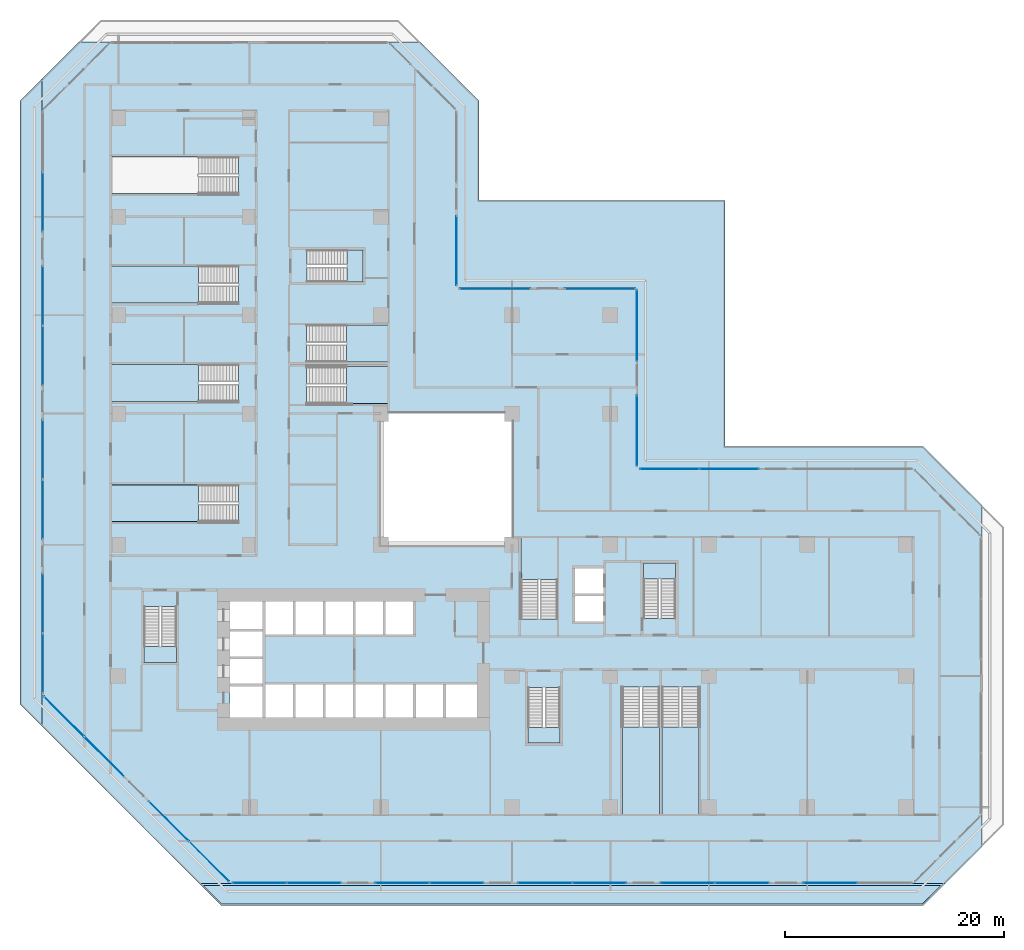
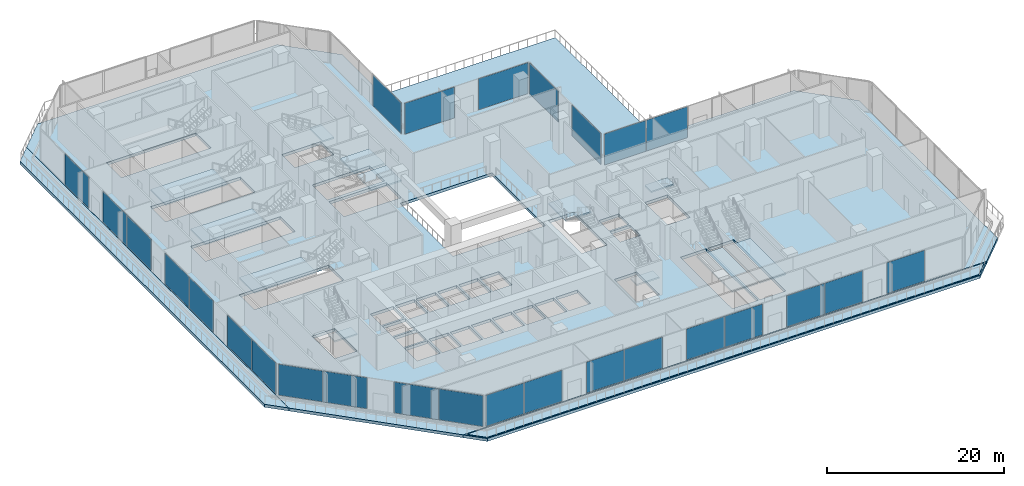
# One storey, part 9 of 25: 27 plates, 16 slabs, 29 elements without a shape of their own.
"""IFC4 building model written with IfcOpenShell, lengths in metres."""

import ifcopenshell
import ifcopenshell.guid

model = None  # the IFC model being written
_history = None  # IfcOwnerHistory: only IFC2X3 demands one
_inside = {}  # id of a spatial element -> (the spatial element, [elements in it])
_under = {}  # id of a project, library or spatial element -> (it, [spatial elements below it])
_declared = {}  # id of a project -> (the project, [libraries it declares])
_typed = {}  # id of a type object -> (the type object, [elements of that type])
_made_of = {}  # id of a material, layer set ... -> (it, [elements and type objects made of it])


def new_model(schema):
    """Start an empty IFC model of exactly this schema.

    Asked for "IFC4X3", IfcOpenShell would pick the latest addendum, in which some entities
    have other attributes; the version numbers below select the first issue.
    IFC2X3 requires an IfcOwnerHistory on every rooted entity: one is made here for all.
    """
    global model, _history
    if schema == "IFC4X3":
        model = ifcopenshell.file(schema_version=(4, 3, 0, 0))
    else:
        model = ifcopenshell.file(schema=schema)
    _inside.clear()
    _under.clear()
    _declared.clear()
    _typed.clear()
    _made_of.clear()
    _history = None
    if model.schema == "IFC2X3":
        org = make("IfcOrganization", Name="unknown")
        user = make(
            "IfcPersonAndOrganization",
            ThePerson=make("IfcPerson", FamilyName="unknown"),
            TheOrganization=org,
        )
        app = make(
            "IfcApplication",
            ApplicationDeveloper=org,
            Version="unknown",
            ApplicationFullName="unknown",
            ApplicationIdentifier="unknown",
        )
        _history = make(
            "IfcOwnerHistory",
            OwningUser=user,
            OwningApplication=app,
            ChangeAction="ADDED",
            CreationDate=0,
        )
    return model


def make(cls, **values):
    """One entity of the class cls with the attributes given. An attribute that is None is left unset."""
    return model.create_entity(
        cls, **{name: value for name, value in values.items() if value is not None}
    )


def rooted(cls, **values):
    """An entity with a GlobalId (a new one), such as an element, a storey or a relation."""
    return make(cls, GlobalId=ifcopenshell.guid.new(), OwnerHistory=_history, **values)


def si_unit(unit_type, name, prefix=None):
    """IfcSIUnit, for example si_unit("LENGTHUNIT", "METRE", prefix="MILLI")."""
    return make("IfcSIUnit", UnitType=unit_type, Prefix=prefix, Name=name)


def assignment(units):
    """IfcUnitAssignment: the units of a project."""
    return None if units is None else make("IfcUnitAssignment", Units=units)


def point(xyz):
    """IfcCartesianPoint."""
    return None if xyz is None else make("IfcCartesianPoint", Coordinates=xyz)


def direction(xyz):
    """IfcDirection."""
    return None if xyz is None else make("IfcDirection", DirectionRatios=xyz)


def frame(location, z_axis=None, x_axis=None):
    """IfcAxis2Placement3D, a coordinate frame: its origin and axes. An axis left out is left unset."""
    return make(
        "IfcAxis2Placement3D",
        Location=point(location),
        Axis=direction(z_axis),
        RefDirection=direction(x_axis),
    )


def frame_2d(location, x_axis=None):
    """IfcAxis2Placement2D, a coordinate frame in the plane: its origin and x axis."""
    return make(
        "IfcAxis2Placement2D", Location=point(location), RefDirection=direction(x_axis)
    )


def origin():
    """The frame at (0, 0, 0) with its axes left unset."""
    return frame((0.0, 0.0, 0.0))


def origin_2d():
    """The frame at (0, 0) in the plane with its x axis left unset."""
    return frame_2d((0.0, 0.0))


def place(relative_to, where):
    """IfcLocalPlacement: puts the frame where relative to a parent placement (None: the world)."""
    return make(
        "IfcLocalPlacement", PlacementRelTo=relative_to, RelativePlacement=where
    )


def context(
    kind, dimensions, precision=None, world=None, true_north=None, identifier=None
):
    """IfcGeometricRepresentationContext, for example the 3D "Model" context."""
    return make(
        "IfcGeometricRepresentationContext",
        ContextIdentifier=identifier,
        ContextType=kind,
        CoordinateSpaceDimension=dimensions,
        Precision=precision,
        WorldCoordinateSystem=world,
        TrueNorth=true_north,
    )


def subcontext(parent, identifier, kind, view, scale=None):
    """IfcGeometricRepresentationSubContext, for example "Body" below "Model"."""
    return make(
        "IfcGeometricRepresentationSubContext",
        ContextIdentifier=identifier,
        ContextType=kind,
        ParentContext=parent,
        TargetScale=scale,
        TargetView=view,
    )


def project(units=None, contexts=None):
    """IfcProject with its units and contexts."""
    return rooted(
        "IfcProject",
        Name="project",
        RepresentationContexts=contexts,
        UnitsInContext=assignment(units),
    )


def spatial(cls, under=None, at=None, **own):
    """A site, building, storey or space (cls), placed at a placement, below another one or the project."""
    s = rooted(cls, ObjectPlacement=at, **own)
    if under is not None:
        _under.setdefault(under.id(), (under, []))[1].append(s)
    return s


def polyline(points):
    """IfcPolyline through the points."""
    return make("IfcPolyline", Points=[point(p) for p in points])


def profile(cls, at=None, kind="AREA", **sizes):
    """A parametric profile (cls). Its sizes go by their IFC names, for example OverallWidth=200.0."""
    return make(cls, ProfileType=kind, Position=at, **sizes)


def rectangle(**sizes):
    """IfcRectangleProfileDef."""
    return profile("IfcRectangleProfileDef", **sizes)


def outline(outer, holes=None, kind="AREA"):
    """IfcArbitraryClosedProfileDef: a profile drawn as a closed curve; with holes, ...WithVoids."""
    if holes is None:
        return make("IfcArbitraryClosedProfileDef", ProfileType=kind, OuterCurve=outer)
    return make(
        "IfcArbitraryProfileDefWithVoids",
        ProfileType=kind,
        OuterCurve=outer,
        InnerCurves=holes,
    )


def extrude(swept, where, along, depth):
    """IfcExtrudedAreaSolid: the profile swept, set in the frame where, extruded along a direction by depth."""
    return make(
        "IfcExtrudedAreaSolid",
        SweptArea=swept,
        Position=where,
        ExtrudedDirection=direction(along),
        Depth=depth,
    )


def shape(context_of_items, identifier, shape_type, items):
    """IfcShapeRepresentation: the items that make up one representation, for example the "Body"."""
    return make(
        "IfcShapeRepresentation",
        ContextOfItems=context_of_items,
        RepresentationIdentifier=identifier,
        RepresentationType=shape_type,
        Items=items,
    )


def material(Name=None, Category=None):
    """IfcMaterial."""
    return make("IfcMaterial", Name=Name, Category=Category)


def layer(
    of_material, thickness, ventilated=None, Name=None, Category=None, Priority=None
):
    """IfcMaterialLayer: one layer of a wall or slab, of a material (None: an air gap)."""
    return make(
        "IfcMaterialLayer",
        Material=of_material,
        LayerThickness=thickness,
        IsVentilated=ventilated,
        Name=Name,
        Category=Category,
        Priority=Priority,
    )


def layer_set(layers, Name=None):
    """IfcMaterialLayerSet."""
    return make("IfcMaterialLayerSet", MaterialLayers=layers, LayerSetName=Name)


def made_of(thing, what):
    """Note that an element or type object is made of a material, layer set ...; save() writes the relation."""
    if what is not None:
        _made_of.setdefault(what.id(), (what, []))[1].append(thing)
    return thing


def type_object(cls, material=None, **own):
    """A type object (cls), such as IfcWallType, which elements share."""
    return made_of(rooted(cls, **own), material)


def element(
    cls,
    number,
    at=None,
    inside=None,
    cuts=None,
    type_object=None,
    material=None,
    context=None,
    identifier="Body",
    shape_type=None,
    held_by="IfcProductDefinitionShape",
    body=None,
    shapes=None,
    **own,
):
    """One element of the class cls, such as IfcWall. Its Tag is "e" and its number.

    at: its placement. inside: the storey or other place that contains it. cuts: it is an
    opening in that element (IfcRelVoidsElement). A single representation is given by context,
    identifier, shape_type and body (its items); several are given by shapes. held_by: the class
    of the entity that holds the representations. save() writes the other relations.
    """
    e = rooted(cls, Tag="e%d" % number, ObjectPlacement=at, **own)
    if body is not None:
        shapes = [shape(context, identifier, shape_type, body)]
    if shapes is not None:
        e.Representation = make(held_by, Representations=shapes)
    if inside is not None:
        _inside.setdefault(inside.id(), (inside, []))[1].append(e)
    if cuts is not None:
        rooted(
            "IfcRelVoidsElement", RelatingBuildingElement=cuts, RelatedOpeningElement=e
        )
    if type_object is not None:
        _typed.setdefault(type_object.id(), (type_object, []))[1].append(e)
    return made_of(e, material)


def aggregate(whole, parts):
    """IfcRelAggregates: a whole, such as a stair, and the parts it consists of."""
    return rooted("IfcRelAggregates", RelatingObject=whole, RelatedObjects=parts)


def save(model, path):
    """Write the relations noted so far, then the file.

    IfcRelAggregates (storeys below a building ...), IfcRelContainedInSpatialStructure (elements
    in a storey), IfcRelDefinesByType, IfcRelAssociatesMaterial and IfcRelDeclares: one each for
    every whole, place, type object, material and project.
    """
    for whole, parts in _under.values():
        aggregate(whole, parts)
    for where, things in _inside.values():
        rooted(
            "IfcRelContainedInSpatialStructure",
            RelatedElements=things,
            RelatingStructure=where,
        )
    for kind, things in _typed.values():
        rooted("IfcRelDefinesByType", RelatedObjects=things, RelatingType=kind)
    for what, things in _made_of.values():
        rooted("IfcRelAssociatesMaterial", RelatedObjects=things, RelatingMaterial=what)
    for by, libraries in _declared.values():
        rooted("IfcRelDeclares", RelatingContext=by, RelatedDefinitions=libraries)
    model.write(path)


model = new_model("IFC4")

# Units and contexts
model_context = context("Model", 3, precision=1e-05, world=origin(), true_north=direction((0.0, 1.0)))
body_context = subcontext(model_context, "Body", "Model", "MODEL_VIEW")
ifc_project = project(units=[si_unit("LENGTHUNIT", "METRE"), si_unit("AREAUNIT", "SQUARE_METRE"), si_unit("VOLUMEUNIT", "CUBIC_METRE"), si_unit("PLANEANGLEUNIT", "RADIAN"), si_unit("MASSUNIT", "GRAM", prefix="KILO")], contexts=[model_context])

# Site, building, storey
site_placement = place(None, origin())
site = spatial("IfcSite", under=ifc_project, at=site_placement, CompositionType="ELEMENT")
building_placement = place(site_placement, origin())
building = spatial("IfcBuilding", under=site, at=building_placement, Name="Chenar Terraces", CompositionType="ELEMENT")
storey_placement = place(building_placement, frame((0.0, 0.0, 21.60009765625)))
storey = spatial("IfcBuildingStorey", under=building, at=storey_placement, Name="L04", CompositionType="ELEMENT", Elevation=21.60009765625)

# Stair, slab
ifc_material_1 = material(Name="Reinforced concrete C40/50", Category="concrete")
stair_type = type_object("IfcStairType", Name="Core stair 1400 half-turn", PredefinedType="HALF_TURN_STAIR", material=ifc_material_1)
placement_1 = place(storey_placement, origin())
stair_1 = element("IfcStair", 1, at=placement_1, inside=storey, type_object=stair_type, Name="L04 Stair 1", PredefinedType="HALF_TURN_STAIR")
ifc_material_2 = material(Name="Reinforced concrete C40/50", Category="concrete")
ifc_layer_1 = layer(ifc_material_2, 0.199951171875)
ifc_layer_set_1 = layer_set([ifc_layer_1], Name="Reinforced concrete C40/50")
slab_type_1 = type_object("IfcSlabType", Name="Core stair landing 200", PredefinedType="LANDING", material=ifc_layer_set_1)
placement_2 = place(storey_placement, frame((0.0, 0.0, 2.199951171875)))
slab_1 = element("IfcSlab", 2, at=placement_2, type_object=slab_type_1, Name="ST1 landing 1", PredefinedType="LANDING", context=body_context, shape_type="SweptSolid", body=[
    extrude(outline(polyline([(2.35009765625, 14.7099609375), (2.35009765625, 13.25), (5.300048828125, 13.25), (5.300048828125, 14.7099609375), (2.35009765625, 14.7099609375)])), origin(), (0.0, 0.0, 1.0), 0.199951171875),
])
aggregate(stair_1, [slab_1])

stair_2 = element("IfcStair", 3, at=placement_1, inside=storey, type_object=stair_type, Name="L04 Stair 2", PredefinedType="HALF_TURN_STAIR")
slab_2 = element("IfcSlab", 4, at=placement_2, type_object=slab_type_1, Name="ST2 landing 1", PredefinedType="LANDING", context=body_context, shape_type="SweptSolid", body=[
    extrude(outline(polyline([(37.449951171875, 7.31005859375), (37.449951171875, 5.85009765625), (40.39990234375, 5.85009765625), (40.39990234375, 7.31005859375), (37.449951171875, 7.31005859375)])), origin(), (0.0, 0.0, 1.0), 0.199951171875),
])
aggregate(stair_2, [slab_2])

stair_3 = element("IfcStair", 5, at=placement_1, inside=storey, type_object=stair_type, Name="L04 Stair 3", PredefinedType="HALF_TURN_STAIR")
slab_3 = element("IfcSlab", 6, at=placement_2, type_object=slab_type_1, Name="ST3 landing 1", PredefinedType="LANDING", context=body_context, shape_type="SweptSolid", body=[
    extrude(outline(polyline([(50.97509765625, 20.889892578125), (50.97509765625, 22.35009765625), (48.02490234375, 22.35009765625), (48.02490234375, 20.889892578125), (50.97509765625, 20.889892578125)])), origin(), (0.0, 0.0, 1.0), 0.199951171875),
])
aggregate(stair_3, [slab_3])

stair_4 = element("IfcStair", 7, at=placement_1, inside=storey, type_object=stair_type, Name="L04 Stair 4", PredefinedType="HALF_TURN_STAIR")
slab_4 = element("IfcSlab", 8, at=placement_2, type_object=slab_type_1, Name="ST4 landing 1", PredefinedType="LANDING", context=body_context, shape_type="SweptSolid", body=[
    extrude(outline(polyline([(20.889892578125, 48.02490234375), (22.35009765625, 48.02490234375), (22.35009765625, 50.97509765625), (20.889892578125, 50.97509765625), (20.889892578125, 48.02490234375)])), origin(), (0.0, 0.0, 1.0), 0.199951171875),
])
aggregate(stair_4, [slab_4])

stair_5 = element("IfcStair", 9, at=placement_1, inside=storey, type_object=stair_type, Name="L04 Exit stair PS1", PredefinedType="HALF_TURN_STAIR")
slab_5 = element("IfcSlab", 10, at=placement_2, type_object=slab_type_1, Name="PS1 landing 1", PredefinedType="LANDING", context=body_context, shape_type="SweptSolid", body=[
    extrude(outline(polyline([(40.175048828125, 20.840087890625), (40.175048828125, 24.699951171875), (36.824951171875, 24.699951171875), (36.824951171875, 20.840087890625), (40.175048828125, 20.840087890625)])), origin(), (0.0, 0.0, 1.0), 0.199951171875),
])
aggregate(stair_5, [slab_5])

stair_6 = element("IfcStair", 11, at=placement_1, inside=storey, type_object=stair_type, Name="L04 Exit stair PS2", PredefinedType="HALF_TURN_STAIR")
slab_6 = element("IfcSlab", 12, at=placement_2, type_object=slab_type_1, Name="PS2 landing 1", PredefinedType="LANDING", context=body_context, shape_type="SweptSolid", body=[
    extrude(outline(polyline([(49.7099609375, 7.344970703125), (49.7099609375, -0.699951171875), (53.090087890625, -0.699951171875), (53.090087890625, 7.344970703125), (49.7099609375, 7.344970703125)])), origin(), (0.0, 0.0, 1.0), 0.199951171875),
])
aggregate(stair_6, [slab_6])

stair_7 = element("IfcStair", 13, at=placement_1, inside=storey, type_object=stair_type, Name="L04 Exit stair PS4", PredefinedType="HALF_TURN_STAIR")
slab_7 = element("IfcSlab", 14, at=placement_2, type_object=slab_type_1, Name="PS4 landing 1", PredefinedType="LANDING", context=body_context, shape_type="SweptSolid", body=[
    extrude(outline(polyline([(7.344970703125, 49.489990234375), (-0.699951171875, 49.489990234375), (-0.699951171875, 46.110107421875), (7.344970703125, 46.110107421875), (7.344970703125, 49.489990234375)])), origin(), (0.0, 0.0, 1.0), 0.199951171875),
])
aggregate(stair_7, [slab_7])

stair_8 = element("IfcStair", 15, at=placement_1, inside=storey, type_object=stair_type, Name="L04 Exit stair PS5", PredefinedType="HALF_TURN_STAIR")
slab_8 = element("IfcSlab", 16, at=placement_2, type_object=slab_type_1, Name="PS5 landing 1", PredefinedType="LANDING", context=body_context, shape_type="SweptSolid", body=[
    extrude(outline(polyline([(7.344970703125, 29.489990234375), (-0.699951171875, 29.489990234375), (-0.699951171875, 26.110107421875), (7.344970703125, 26.110107421875), (7.344970703125, 29.489990234375)])), origin(), (0.0, 0.0, 1.0), 0.199951171875),
])
aggregate(stair_8, [slab_8])

stair_9 = element("IfcStair", 17, at=placement_1, inside=storey, type_object=stair_type, Name="L04 Exit stair PS6", PredefinedType="HALF_TURN_STAIR")
slab_9 = element("IfcSlab", 18, at=placement_2, type_object=slab_type_1, Name="PS6 landing 1", PredefinedType="LANDING", context=body_context, shape_type="SweptSolid", body=[
    extrude(outline(polyline([(46.110107421875, 7.344970703125), (46.110107421875, -0.699951171875), (49.489990234375, -0.699951171875), (49.489990234375, 7.344970703125), (46.110107421875, 7.344970703125)])), origin(), (0.0, 0.0, 1.0), 0.199951171875),
])
aggregate(stair_9, [slab_9])

stair_10 = element("IfcStair", 19, at=placement_1, inside=storey, type_object=stair_type, Name="L04 Exit stair PS7", PredefinedType="HALF_TURN_STAIR")
slab_10 = element("IfcSlab", 20, at=placement_2, type_object=slab_type_1, Name="PS7 landing 1", PredefinedType="LANDING", context=body_context, shape_type="SweptSolid", body=[
    extrude(outline(polyline([(20.85498046875, 36.909912109375), (24.699951171875, 36.909912109375), (24.699951171875, 40.2900390625), (20.85498046875, 40.2900390625), (20.85498046875, 36.909912109375)])), origin(), (0.0, 0.0, 1.0), 0.199951171875),
])
aggregate(stair_10, [slab_10])

stair_11 = element("IfcStair", 21, at=placement_1, inside=storey, type_object=stair_type, Name="L04 Exit stair PS8", PredefinedType="HALF_TURN_STAIR")
slab_11 = element("IfcSlab", 22, at=placement_2, type_object=slab_type_1, Name="PS8 landing 1", PredefinedType="LANDING", context=body_context, shape_type="SweptSolid", body=[
    extrude(outline(polyline([(20.85498046875, 40.7099609375), (24.699951171875, 40.7099609375), (24.699951171875, 44.090087890625), (20.85498046875, 44.090087890625), (20.85498046875, 40.7099609375)])), origin(), (0.0, 0.0, 1.0), 0.199951171875),
])
aggregate(stair_11, [slab_11])

stair_12 = element("IfcStair", 23, at=placement_1, inside=storey, type_object=stair_type, Name="L04 Exit stair PS9", PredefinedType="HALF_TURN_STAIR")
slab_12 = element("IfcSlab", 24, at=placement_2, type_object=slab_type_1, Name="PS9 landing 1", PredefinedType="LANDING", context=body_context, shape_type="SweptSolid", body=[
    extrude(outline(polyline([(7.344970703125, 40.489990234375), (-0.699951171875, 40.489990234375), (-0.699951171875, 37.110107421875), (7.344970703125, 37.110107421875), (7.344970703125, 40.489990234375)])), origin(), (0.0, 0.0, 1.0), 0.199951171875),
])
aggregate(stair_12, [slab_12])

# Slab
ifc_material_3 = material(Name="Concrete C40/50", Category="concrete")
ifc_layer_2 = layer(ifc_material_3, 0.39990234375)
ifc_layer_set_2 = layer_set([ifc_layer_2], Name="Concrete C40/50")
slab_type_2 = type_object("IfcSlabType", Name="Floor slab 400 Concrete C40/50", PredefinedType="FLOOR", material=ifc_layer_set_2)
placement_3 = place(storey_placement, frame((0.0, 0.0, -0.400146484375)))
element("IfcSlab", 25, at=placement_3, inside=storey, type_object=slab_type_2, Name="Floor slab L04", PredefinedType="FLOOR", context=body_context, shape_type="SweptSolid", body=[
    extrude(outline(polyline([(-6.998046875, 10.2197265625), (-6.998046875, 63.7802734375), (-7.0, 63.7783203125), (-7.0, 66.606689453125), (-3.606689453125, 70.0), (-0.7783203125, 70.0), (-0.7802734375, 69.998046875), (24.7802734375, 69.998046875), (24.7783203125, 70.0), (27.606689453125, 70.0), (33.0, 64.606689453125), (33.0, 55.5), (55.5, 55.5), (55.5, 33.0), (73.606689453125, 33.0), (79.0, 27.606689453125), (79.0, 24.7783203125), (78.998046875, 24.7802734375), (78.998046875, -0.7802734375), (79.0, -0.7783203125), (79.0, -3.606689453125), (75.606689453125, -7.0), (72.7783203125, -7.0), (72.7802734375, -6.998046875), (10.2197265625, -6.998046875), (10.2216796875, -7.0), (7.393310546875, -7.0), (-7.0, 7.393310546875), (-7.0, 10.2216796875), (-6.998046875, 10.2197265625)]), holes=[polyline([(13.199951171875, 8.199951171875), (13.199951171875, 11.050048828125), (10.199951171875, 11.050048828125), (10.199951171875, 8.199951171875), (13.199951171875, 8.199951171875)]), polyline([(15.949951171875, 8.199951171875), (15.949951171875, 11.199951171875), (13.449951171875, 11.199951171875), (13.449951171875, 8.199951171875), (15.949951171875, 8.199951171875)]), polyline([(18.699951171875, 8.199951171875), (18.699951171875, 11.199951171875), (16.199951171875, 11.199951171875), (16.199951171875, 8.199951171875), (18.699951171875, 8.199951171875)]), polyline([(21.449951171875, 8.199951171875), (21.449951171875, 11.199951171875), (18.949951171875, 11.199951171875), (18.949951171875, 8.199951171875), (21.449951171875, 8.199951171875)]), polyline([(13.199951171875, 11.300048828125), (13.199951171875, 13.550048828125), (10.199951171875, 13.550048828125), (10.199951171875, 11.300048828125), (13.199951171875, 11.300048828125)]), polyline([(13.199951171875, 13.800048828125), (13.199951171875, 16.050048828125), (10.199951171875, 16.050048828125), (10.199951171875, 13.800048828125), (13.199951171875, 13.800048828125)]), polyline([(2.35009765625, 18.35009765625), (2.35009765625, 13.25), (5.300048828125, 13.25), (5.300048828125, 18.35009765625), (2.35009765625, 18.35009765625)]), polyline([(15.949951171875, 15.800048828125), (15.949951171875, 18.800048828125), (13.449951171875, 18.800048828125), (13.449951171875, 15.800048828125), (15.949951171875, 15.800048828125)]), polyline([(18.699951171875, 15.800048828125), (18.699951171875, 18.800048828125), (16.199951171875, 18.800048828125), (16.199951171875, 15.800048828125), (18.699951171875, 15.800048828125)]), polyline([(21.449951171875, 15.800048828125), (21.449951171875, 18.800048828125), (18.949951171875, 18.800048828125), (18.949951171875, 15.800048828125), (21.449951171875, 15.800048828125)]), polyline([(13.199951171875, 16.300048828125), (13.199951171875, 18.800048828125), (10.199951171875, 18.800048828125), (10.199951171875, 16.300048828125), (13.199951171875, 16.300048828125)]), polyline([(10.985107421875, 29.489990234375), (-0.699951171875, 29.489990234375), (-0.699951171875, 26.110107421875), (10.985107421875, 26.110107421875), (10.985107421875, 29.489990234375)]), polyline([(10.985107421875, 40.489990234375), (-0.699951171875, 40.489990234375), (-0.699951171875, 37.110107421875), (10.985107421875, 37.110107421875), (10.985107421875, 40.489990234375)]), polyline([(10.985107421875, 49.489990234375), (-0.699951171875, 49.489990234375), (-0.699951171875, 46.110107421875), (10.985107421875, 46.110107421875), (10.985107421875, 49.489990234375)]), polyline([(17.25, 48.02490234375), (22.35009765625, 48.02490234375), (22.35009765625, 50.97509765625), (17.25, 50.97509765625), (17.25, 48.02490234375)]), polyline([(10.985107421875, 59.489990234375), (-0.699951171875, 59.489990234375), (-0.699951171875, 56.110107421875), (10.985107421875, 56.110107421875), (10.985107421875, 59.489990234375)]), polyline([(46.110107421875, 10.985107421875), (46.110107421875, -0.699951171875), (49.489990234375, -0.699951171875), (49.489990234375, 10.985107421875), (46.110107421875, 10.985107421875)]), polyline([(49.7099609375, 10.985107421875), (49.7099609375, -0.699951171875), (53.090087890625, -0.699951171875), (53.090087890625, 10.985107421875), (49.7099609375, 10.985107421875)]), polyline([(37.449951171875, 10.949951171875), (37.449951171875, 5.85009765625), (40.39990234375, 5.85009765625), (40.39990234375, 10.949951171875), (37.449951171875, 10.949951171875)]), polyline([(24.199951171875, 8.199951171875), (24.199951171875, 11.199951171875), (21.699951171875, 11.199951171875), (21.699951171875, 8.199951171875), (24.199951171875, 8.199951171875)]), polyline([(26.949951171875, 8.199951171875), (26.949951171875, 11.199951171875), (24.449951171875, 11.199951171875), (24.449951171875, 8.199951171875), (26.949951171875, 8.199951171875)]), polyline([(29.699951171875, 8.199951171875), (29.699951171875, 11.199951171875), (27.199951171875, 11.199951171875), (27.199951171875, 8.199951171875), (29.699951171875, 8.199951171875)]), polyline([(32.800048828125, 8.199951171875), (32.800048828125, 11.199951171875), (29.949951171875, 11.199951171875), (29.949951171875, 8.199951171875), (32.800048828125, 8.199951171875)]), polyline([(24.199951171875, 15.800048828125), (24.199951171875, 18.800048828125), (21.699951171875, 18.800048828125), (21.699951171875, 15.800048828125), (24.199951171875, 15.800048828125)]), polyline([(26.949951171875, 15.800048828125), (26.949951171875, 18.800048828125), (24.449951171875, 18.800048828125), (24.449951171875, 15.800048828125), (26.949951171875, 15.800048828125)]), polyline([(44.35009765625, 17.0), (44.35009765625, 19.300048828125), (41.75, 19.300048828125), (41.75, 17.0), (44.35009765625, 17.0)]), polyline([(50.97509765625, 17.25), (50.97509765625, 22.35009765625), (48.02490234375, 22.35009765625), (48.02490234375, 17.25), (50.97509765625, 17.25)]), polyline([(44.35009765625, 19.550048828125), (44.35009765625, 21.85009765625), (41.75, 21.85009765625), (41.75, 19.550048828125), (44.35009765625, 19.550048828125)]), polyline([(40.175048828125, 17.199951171875), (40.175048828125, 24.699951171875), (36.824951171875, 24.699951171875), (36.824951171875, 17.199951171875), (40.175048828125, 17.199951171875)]), polyline([(24.0, 24.0), (36.0, 24.0), (36.0, 36.0), (24.0, 36.0), (24.0, 24.0)]), polyline([(17.215087890625, 36.909912109375), (24.699951171875, 36.909912109375), (24.699951171875, 40.2900390625), (17.215087890625, 40.2900390625), (17.215087890625, 36.909912109375)]), polyline([(17.215087890625, 40.7099609375), (24.699951171875, 40.7099609375), (24.699951171875, 44.090087890625), (17.215087890625, 44.090087890625), (17.215087890625, 40.7099609375)])]), origin(), (0.0, 0.0, 1.0), 0.400146484375),
])

# Curtain wall, plate
ifc_material_4 = material(Name="Aluminium framed glazing", Category="aluminium")
ifc_layer_3 = layer(ifc_material_4, 0.14990234375)
ifc_layer_set_3 = layer_set([ifc_layer_3], Name="Aluminium framed glazing")
curtain_wall_type = type_object("IfcCurtainWallType", Name="School curtain wall", PredefinedType="NOTDEFINED", material=ifc_layer_set_3)
curtain_wall_1 = element("IfcCurtainWall", 26, at=placement_1, inside=storey, type_object=curtain_wall_type, Name="School curtain wall", PredefinedType="NOTDEFINED")
ifc_material_5 = material(Name="Low emissivity laminated glass, solar control coating", Category="glass")
ifc_layer_4 = layer(ifc_material_5, 0.031982421875)
ifc_layer_set_4 = layer_set([ifc_layer_4], Name="Low emissivity laminated glass, solar control coating")
plate_type = type_object("IfcPlateType", Name="School glazing panel 32", PredefinedType="CURTAIN_PANEL", material=ifc_layer_set_4)
plate_1_placement = place(storey_placement, frame((30.925048828125, 50.88818359375, 0.06982421875), z_axis=(0.0, 0.0, 1.0), x_axis=(0.0, 1.0, 0.0)))
plate_1 = element("IfcPlate", 27, at=plate_1_placement, type_object=plate_type, Name="CW2-01c0 panel 1.1", PredefinedType="CURTAIN_PANEL", context=body_context, shape_type="SweptSolid", body=[
    extrude(rectangle(XDim=6.336669921875, YDim=0.031982421875, at=origin_2d()), origin(), (0.0, 0.0, 1.0), 4.260009765625),
])
aggregate(curtain_wall_1, [plate_1])

curtain_wall_2 = element("IfcCurtainWall", 28, at=placement_1, inside=storey, type_object=curtain_wall_type, Name="School curtain wall", PredefinedType="NOTDEFINED")
plate_2_placement = place(storey_placement, frame((-6.925048828125, 55.35693359375, 0.06982421875), z_axis=(0.0, 0.0, 1.0), x_axis=(0.0, -1.0, 0.0)))
plate_2 = element("IfcPlate", 29, at=plate_2_placement, type_object=plate_type, Name="CW2-05c0 panel 2.1", PredefinedType="CURTAIN_PANEL", context=body_context, shape_type="SweptSolid", body=[
    extrude(rectangle(XDim=5.4208984375, YDim=0.031982421875, at=origin_2d()), origin(), (0.0, 0.0, 1.0), 4.260009765625),
])
aggregate(curtain_wall_2, [plate_2])

# Curtain wall, plates
curtain_wall_3 = element("IfcCurtainWall", 30, at=placement_1, inside=storey, type_object=curtain_wall_type, Name="School curtain wall", PredefinedType="NOTDEFINED")
plate_3_placement = place(storey_placement, frame((-6.925048828125, 46.7744140625, 0.06982421875), z_axis=(0.0, 0.0, 1.0), x_axis=(0.0, -1.0, 0.0)))
plate_3 = element("IfcPlate", 31, at=plate_3_placement, type_object=plate_type, Name="CW2-05c1 panel 1.1", PredefinedType="CURTAIN_PANEL", context=body_context, shape_type="SweptSolid", body=[
    extrude(rectangle(XDim=5.41455078125, YDim=0.031982421875, at=origin_2d()), origin(), (0.0, 0.0, 1.0), 4.260009765625),
])
plate_4_placement = place(storey_placement, frame((-6.925048828125, 41.289794921875, 0.06982421875), z_axis=(0.0, 0.0, 1.0), x_axis=(0.0, -1.0, 0.0)))
plate_4 = element("IfcPlate", 32, at=plate_4_placement, type_object=plate_type, Name="CW2-05c1 panel 2.1", PredefinedType="CURTAIN_PANEL", context=body_context, shape_type="SweptSolid", body=[
    extrude(rectangle(XDim=5.41455078125, YDim=0.031982421875, at=origin_2d()), origin(), (0.0, 0.0, 1.0), 4.260009765625),
])
aggregate(curtain_wall_3, [plate_3, plate_4])

curtain_wall_4 = element("IfcCurtainWall", 33, at=placement_1, inside=storey, type_object=curtain_wall_type, Name="School curtain wall", PredefinedType="NOTDEFINED")
plate_5_placement = place(storey_placement, frame((-6.925048828125, 32.710205078125, 0.06982421875), z_axis=(0.0, 0.0, 1.0), x_axis=(0.0, -1.0, 0.0)))
plate_5 = element("IfcPlate", 34, at=plate_5_placement, type_object=plate_type, Name="CW2-05c2 panel 1.1", PredefinedType="CURTAIN_PANEL", context=body_context, shape_type="SweptSolid", body=[
    extrude(rectangle(XDim=5.41455078125, YDim=0.031982421875, at=origin_2d()), origin(), (0.0, 0.0, 1.0), 4.260009765625),
])
plate_6_placement = place(storey_placement, frame((-6.925048828125, 27.2255859375, 0.06982421875), z_axis=(0.0, 0.0, 1.0), x_axis=(0.0, -1.0, 0.0)))
plate_6 = element("IfcPlate", 35, at=plate_6_placement, type_object=plate_type, Name="CW2-05c2 panel 2.1", PredefinedType="CURTAIN_PANEL", context=body_context, shape_type="SweptSolid", body=[
    extrude(rectangle(XDim=5.41455078125, YDim=0.031982421875, at=origin_2d()), origin(), (0.0, 0.0, 1.0), 4.260009765625),
])
aggregate(curtain_wall_4, [plate_5, plate_6])

curtain_wall_5 = element("IfcCurtainWall", 36, at=placement_1, inside=storey, type_object=curtain_wall_type, Name="School curtain wall", PredefinedType="NOTDEFINED")
plate_7_placement = place(storey_placement, frame((-6.925048828125, 18.64306640625, 0.06982421875), z_axis=(0.0, 0.0, 1.0), x_axis=(0.0, -1.0, 0.0)))
plate_7 = element("IfcPlate", 37, at=plate_7_placement, type_object=plate_type, Name="CW2-05c3 panel 1.1", PredefinedType="CURTAIN_PANEL", context=body_context, shape_type="SweptSolid", body=[
    extrude(rectangle(XDim=5.4208984375, YDim=0.031982421875, at=origin_2d()), origin(), (0.0, 0.0, 1.0), 4.260009765625),
])
plate_8_placement = place(storey_placement, frame((-6.925048828125, 13.152099609375, 0.06982421875), z_axis=(0.0, 0.0, 1.0), x_axis=(0.0, -1.0, 0.0)))
plate_8 = element("IfcPlate", 38, at=plate_8_placement, type_object=plate_type, Name="CW2-05c3 panel 2.1", PredefinedType="CURTAIN_PANEL", context=body_context, shape_type="SweptSolid", body=[
    extrude(rectangle(XDim=5.4208984375, YDim=0.031982421875, at=origin_2d()), origin(), (0.0, 0.0, 1.0), 4.260009765625),
])
aggregate(curtain_wall_5, [plate_7, plate_8])

curtain_wall_6 = element("IfcCurtainWall", 39, at=placement_1, inside=storey, type_object=curtain_wall_type, Name="School curtain wall", PredefinedType="NOTDEFINED")
plate_9_placement = place(storey_placement, frame((-4.9697265625, 8.297607421875, 0.06982421875), z_axis=(0.0, 0.0, 1.0), x_axis=(0.707106781187, -0.707106781187, 0.0)))
plate_9 = element("IfcPlate", 40, at=plate_9_placement, type_object=plate_type, Name="CW2-06c0 panel 1.1", PredefinedType="CURTAIN_PANEL", context=body_context, shape_type="SweptSolid", body=[
    extrude(rectangle(XDim=5.152587890625, YDim=0.031982421875, at=origin_2d()), origin(), (0.0, 0.0, 1.0), 4.260009765625),
])
plate_10_placement = place(storey_placement, frame((-1.27685546875, 4.604736328125, 0.06982421875), z_axis=(0.0, 0.0, 1.0), x_axis=(0.707106781187, -0.707106781187, 0.0)))
plate_10 = element("IfcPlate", 41, at=plate_10_placement, type_object=plate_type, Name="CW2-06c0 panel 2.1", PredefinedType="CURTAIN_PANEL", context=body_context, shape_type="SweptSolid", body=[
    extrude(rectangle(XDim=5.152587890625, YDim=0.031982421875, at=origin_2d()), origin(), (0.0, 0.0, 1.0), 4.260009765625),
])
aggregate(curtain_wall_6, [plate_9, plate_10])

curtain_wall_7 = element("IfcCurtainWall", 42, at=placement_1, inside=storey, type_object=curtain_wall_type, Name="School curtain wall", PredefinedType="NOTDEFINED")
plate_11_placement = place(storey_placement, frame((4.604736328125, -1.27685546875, 0.06982421875), z_axis=(0.0, 0.0, 1.0), x_axis=(0.707106781187, -0.707106781187, 0.0)))
plate_11 = element("IfcPlate", 43, at=plate_11_placement, type_object=plate_type, Name="CW2-06c1 panel 1.1", PredefinedType="CURTAIN_PANEL", context=body_context, shape_type="SweptSolid", body=[
    extrude(rectangle(XDim=5.152587890625, YDim=0.031982421875, at=origin_2d()), origin(), (0.0, 0.0, 1.0), 4.260009765625),
])
plate_12_placement = place(storey_placement, frame((8.297607421875, -4.9697265625, 0.06982421875), z_axis=(0.0, 0.0, 1.0), x_axis=(0.707106781187, -0.707106781187, 0.0)))
plate_12 = element("IfcPlate", 44, at=plate_12_placement, type_object=plate_type, Name="CW2-06c1 panel 2.1", PredefinedType="CURTAIN_PANEL", context=body_context, shape_type="SweptSolid", body=[
    extrude(rectangle(XDim=5.152587890625, YDim=0.031982421875, at=origin_2d()), origin(), (0.0, 0.0, 1.0), 4.260009765625),
])
aggregate(curtain_wall_7, [plate_11, plate_12])

curtain_wall_8 = element("IfcCurtainWall", 45, at=placement_1, inside=storey, type_object=curtain_wall_type, Name="School curtain wall", PredefinedType="NOTDEFINED")
plate_13_placement = place(storey_placement, frame((12.89892578125, -6.925048828125, 0.06982421875), z_axis=(0.0, 0.0, 1.0), x_axis=(1.0, 0.0, 0.0)))
plate_13 = element("IfcPlate", 46, at=plate_13_placement, type_object=plate_type, Name="CW2-07c0 panel 1.1", PredefinedType="CURTAIN_PANEL", context=body_context, shape_type="SweptSolid", body=[
    extrude(rectangle(XDim=4.914306640625, YDim=0.031982421875, at=origin_2d()), origin(), (0.0, 0.0, 1.0), 4.260009765625),
])
plate_14_placement = place(storey_placement, frame((17.88330078125, -6.925048828125, 0.06982421875), z_axis=(0.0, 0.0, 1.0), x_axis=(1.0, 0.0, 0.0)))
plate_14 = element("IfcPlate", 47, at=plate_14_placement, type_object=plate_type, Name="CW2-07c0 panel 2.1", PredefinedType="CURTAIN_PANEL", context=body_context, shape_type="SweptSolid", body=[
    extrude(rectangle(XDim=4.914306640625, YDim=0.031982421875, at=origin_2d()), origin(), (0.0, 0.0, 1.0), 4.260009765625),
])
aggregate(curtain_wall_8, [plate_13, plate_14])

curtain_wall_9 = element("IfcCurtainWall", 48, at=placement_1, inside=storey, type_object=curtain_wall_type, Name="School curtain wall", PredefinedType="NOTDEFINED")
plate_15_placement = place(storey_placement, frame((25.959716796875, -6.925048828125, 0.06982421875), z_axis=(0.0, 0.0, 1.0), x_axis=(1.0, 0.0, 0.0)))
plate_15 = element("IfcPlate", 49, at=plate_15_placement, type_object=plate_type, Name="CW2-07c1 panel 1.1", PredefinedType="CURTAIN_PANEL", context=body_context, shape_type="SweptSolid", body=[
    extrude(rectangle(XDim=4.908203125, YDim=0.031982421875, at=origin_2d()), origin(), (0.0, 0.0, 1.0), 4.260009765625),
])
plate_16_placement = place(storey_placement, frame((30.937744140625, -6.925048828125, 0.06982421875), z_axis=(0.0, 0.0, 1.0), x_axis=(1.0, 0.0, 0.0)))
plate_16 = element("IfcPlate", 50, at=plate_16_placement, type_object=plate_type, Name="CW2-07c1 panel 2.1", PredefinedType="CURTAIN_PANEL", context=body_context, shape_type="SweptSolid", body=[
    extrude(rectangle(XDim=4.908203125, YDim=0.031982421875, at=origin_2d()), origin(), (0.0, 0.0, 1.0), 4.260009765625),
])
aggregate(curtain_wall_9, [plate_15, plate_16])

curtain_wall_10 = element("IfcCurtainWall", 51, at=placement_1, inside=storey, type_object=curtain_wall_type, Name="School curtain wall", PredefinedType="NOTDEFINED")
plate_17_placement = place(storey_placement, frame((39.010986328125, -6.925048828125, 0.06982421875), z_axis=(0.0, 0.0, 1.0), x_axis=(1.0, 0.0, 0.0)))
plate_17 = element("IfcPlate", 52, at=plate_17_placement, type_object=plate_type, Name="CW2-07c2 panel 1.1", PredefinedType="CURTAIN_PANEL", context=body_context, shape_type="SweptSolid", body=[
    extrude(rectangle(XDim=4.908203125, YDim=0.031982421875, at=origin_2d()), origin(), (0.0, 0.0, 1.0), 4.260009765625),
])
plate_18_placement = place(storey_placement, frame((43.989013671875, -6.925048828125, 0.06982421875), z_axis=(0.0, 0.0, 1.0), x_axis=(1.0, 0.0, 0.0)))
plate_18 = element("IfcPlate", 53, at=plate_18_placement, type_object=plate_type, Name="CW2-07c2 panel 2.1", PredefinedType="CURTAIN_PANEL", context=body_context, shape_type="SweptSolid", body=[
    extrude(rectangle(XDim=4.908203125, YDim=0.031982421875, at=origin_2d()), origin(), (0.0, 0.0, 1.0), 4.260009765625),
])
aggregate(curtain_wall_10, [plate_17, plate_18])

curtain_wall_11 = element("IfcCurtainWall", 54, at=placement_1, inside=storey, type_object=curtain_wall_type, Name="School curtain wall", PredefinedType="NOTDEFINED")
plate_19_placement = place(storey_placement, frame((52.062255859375, -6.925048828125, 0.06982421875), z_axis=(0.0, 0.0, 1.0), x_axis=(1.0, 0.0, 0.0)))
plate_19 = element("IfcPlate", 55, at=plate_19_placement, type_object=plate_type, Name="CW2-07c3 panel 1.1", PredefinedType="CURTAIN_PANEL", context=body_context, shape_type="SweptSolid", body=[
    extrude(rectangle(XDim=4.908203125, YDim=0.031982421875, at=origin_2d()), origin(), (0.0, 0.0, 1.0), 4.260009765625),
])
plate_20_placement = place(storey_placement, frame((57.040283203125, -6.925048828125, 0.06982421875), z_axis=(0.0, 0.0, 1.0), x_axis=(1.0, 0.0, 0.0)))
plate_20 = element("IfcPlate", 56, at=plate_20_placement, type_object=plate_type, Name="CW2-07c3 panel 2.1", PredefinedType="CURTAIN_PANEL", context=body_context, shape_type="SweptSolid", body=[
    extrude(rectangle(XDim=4.908203125, YDim=0.031982421875, at=origin_2d()), origin(), (0.0, 0.0, 1.0), 4.260009765625),
])
aggregate(curtain_wall_11, [plate_19, plate_20])

# Curtain wall, plate
curtain_wall_12 = element("IfcCurtainWall", 57, at=placement_1, inside=storey, type_object=curtain_wall_type, Name="School curtain wall", PredefinedType="NOTDEFINED")
plate_21_placement = place(storey_placement, frame((65.11669921875, -6.925048828125, 0.06982421875), z_axis=(0.0, 0.0, 1.0), x_axis=(1.0, 0.0, 0.0)))
plate_21 = element("IfcPlate", 58, at=plate_21_placement, type_object=plate_type, Name="CW2-07c4 panel 1.1", PredefinedType="CURTAIN_PANEL", context=body_context, shape_type="SweptSolid", body=[
    extrude(rectangle(XDim=4.914306640625, YDim=0.031982421875, at=origin_2d()), origin(), (0.0, 0.0, 1.0), 4.260009765625),
])
aggregate(curtain_wall_12, [plate_21])

# Curtain wall, plates
curtain_wall_13 = element("IfcCurtainWall", 59, at=placement_1, inside=storey, type_object=curtain_wall_type, Name="School curtain wall", PredefinedType="NOTDEFINED")
plate_22_placement = place(storey_placement, frame((55.864990234375, 30.925048828125, 0.06982421875), z_axis=(0.0, 0.0, 1.0), x_axis=(-1.0, 0.0, 0.0)))
plate_22 = element("IfcPlate", 60, at=plate_22_placement, type_object=plate_type, Name="CW2-11c1 panel 1.1", PredefinedType="CURTAIN_PANEL", context=body_context, shape_type="SweptSolid", body=[
    extrude(rectangle(XDim=5.38330078125, YDim=0.031982421875, at=origin_2d()), origin(), (0.0, 0.0, 1.0), 4.260009765625),
])
plate_23_placement = place(storey_placement, frame((50.41162109375, 30.925048828125, 0.06982421875), z_axis=(0.0, 0.0, 1.0), x_axis=(-1.0, 0.0, 0.0)))
plate_23 = element("IfcPlate", 61, at=plate_23_placement, type_object=plate_type, Name="CW2-11c1 panel 2.1", PredefinedType="CURTAIN_PANEL", context=body_context, shape_type="SweptSolid", body=[
    extrude(rectangle(XDim=5.38330078125, YDim=0.031982421875, at=origin_2d()), origin(), (0.0, 0.0, 1.0), 4.260009765625),
])
aggregate(curtain_wall_13, [plate_22, plate_23])

# Curtain wall, plate
curtain_wall_14 = element("IfcCurtainWall", 62, at=placement_1, inside=storey, type_object=curtain_wall_type, Name="School curtain wall", PredefinedType="NOTDEFINED")
plate_24_placement = place(storey_placement, frame((47.425048828125, 34.44384765625, 0.06982421875), z_axis=(0.0, 0.0, 1.0), x_axis=(0.0, 1.0, 0.0)))
plate_24 = element("IfcPlate", 63, at=plate_24_placement, type_object=plate_type, Name="CW2-12c0 panel 1.1", PredefinedType="CURTAIN_PANEL", context=body_context, shape_type="SweptSolid", body=[
    extrude(rectangle(XDim=6.447509765625, YDim=0.031982421875, at=origin_2d()), origin(), (0.0, 0.0, 1.0), 4.260009765625),
])
aggregate(curtain_wall_14, [plate_24])

curtain_wall_15 = element("IfcCurtainWall", 64, at=placement_1, inside=storey, type_object=curtain_wall_type, Name="School curtain wall", PredefinedType="NOTDEFINED")
plate_25_placement = place(storey_placement, frame((47.425048828125, 44.05615234375, 0.06982421875), z_axis=(0.0, 0.0, 1.0), x_axis=(0.0, 1.0, 0.0)))
plate_25 = element("IfcPlate", 65, at=plate_25_placement, type_object=plate_type, Name="CW2-12c1 panel 1.1", PredefinedType="CURTAIN_PANEL", context=body_context, shape_type="SweptSolid", body=[
    extrude(rectangle(XDim=6.447509765625, YDim=0.031982421875, at=origin_2d()), origin(), (0.0, 0.0, 1.0), 4.260009765625),
])
aggregate(curtain_wall_15, [plate_25])

curtain_wall_16 = element("IfcCurtainWall", 66, at=placement_1, inside=storey, type_object=curtain_wall_type, Name="School curtain wall", PredefinedType="NOTDEFINED")
plate_26_placement = place(storey_placement, frame((44.05615234375, 47.425048828125, 0.06982421875), z_axis=(0.0, 0.0, 1.0), x_axis=(-1.0, 0.0, 0.0)))
plate_26 = element("IfcPlate", 67, at=plate_26_placement, type_object=plate_type, Name="CW2-13c0 panel 1.1", PredefinedType="CURTAIN_PANEL", context=body_context, shape_type="SweptSolid", body=[
    extrude(rectangle(XDim=6.447509765625, YDim=0.031982421875, at=origin_2d()), origin(), (0.0, 0.0, 1.0), 4.260009765625),
])
aggregate(curtain_wall_16, [plate_26])

curtain_wall_17 = element("IfcCurtainWall", 68, at=placement_1, inside=storey, type_object=curtain_wall_type, Name="School curtain wall", PredefinedType="NOTDEFINED")
plate_27_placement = place(storey_placement, frame((34.44384765625, 47.425048828125, 0.06982421875), z_axis=(0.0, 0.0, 1.0), x_axis=(-1.0, 0.0, 0.0)))
plate_27 = element("IfcPlate", 69, at=plate_27_placement, type_object=plate_type, Name="CW2-13c1 panel 1.1", PredefinedType="CURTAIN_PANEL", context=body_context, shape_type="SweptSolid", body=[
    extrude(rectangle(XDim=6.447509765625, YDim=0.031982421875, at=origin_2d()), origin(), (0.0, 0.0, 1.0), 4.260009765625),
])
aggregate(curtain_wall_17, [plate_27])

# Slabs
ifc_material_6 = material(Name="Limestone paving", Category="masonry")
ifc_layer_5 = layer(ifc_material_6, 0.050048828125)
ifc_layer_set_5 = layer_set([ifc_layer_5], Name="Limestone paving")
slab_type_3 = type_object("IfcSlabType", Name="Terrace paving 50", PredefinedType="USERDEFINED", material=ifc_layer_set_5)
element("IfcSlab", 70, at=placement_1, inside=storey, type_object=slab_type_3, Name="Terrace paving", ObjectType="PAVING", PredefinedType="USERDEFINED", context=body_context, shape_type="SweptSolid", body=[
    extrude(outline(polyline([(73.54443359375, -8.85009765625), (9.45556640625, -8.85009765625), (7.755615234375, -7.14990234375), (75.244384765625, -7.14990234375), (73.54443359375, -8.85009765625)])), origin(), (0.0, 0.0, 1.0), 0.0498046875),
])
ifc_material_7 = material(Name="Concrete C40/50", Category="concrete")
ifc_layer_6 = layer(ifc_material_7, 0.39990234375)
ifc_layer_set_6 = layer_set([ifc_layer_6], Name="Concrete C40/50")
slab_type_4 = type_object("IfcSlabType", Name="Terrace slab 400 Concrete C40/50", PredefinedType="FLOOR", material=ifc_layer_set_6)
element("IfcSlab", 71, at=placement_3, inside=storey, type_object=slab_type_4, Name="Terrace slab L04 2.1", PredefinedType="FLOOR", context=body_context, shape_type="SweptSolid", body=[
    extrude(outline(polyline([(73.606689453125, -9.0), (9.393310546875, -9.0), (7.393310546875, -7.0), (10.2216796875, -7.0), (72.7783203125, -7.0), (75.606689453125, -7.0), (73.606689453125, -9.0)])), origin(), (0.0, 0.0, 1.0), 0.400146484375),
])
element("IfcSlab", 72, at=placement_3, inside=storey, type_object=slab_type_4, Name="Terrace slab L04 3.1", PredefinedType="FLOOR", context=body_context, shape_type="SweptSolid", body=[
    extrude(outline(polyline([(-9.0, 9.393310546875), (-9.0, 64.606689453125), (-7.0, 66.606689453125), (-7.0, 63.7783203125), (-7.0, 10.2216796875), (-7.0, 7.393310546875), (-9.0, 9.393310546875)])), origin(), (0.0, 0.0, 1.0), 0.400146484375),
])

save(model, "model.ifc")
